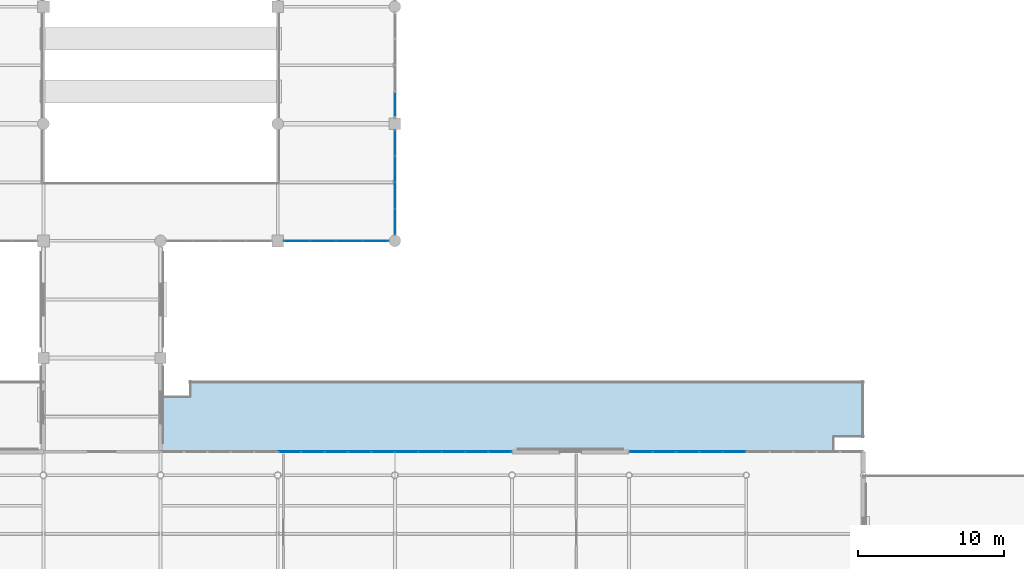
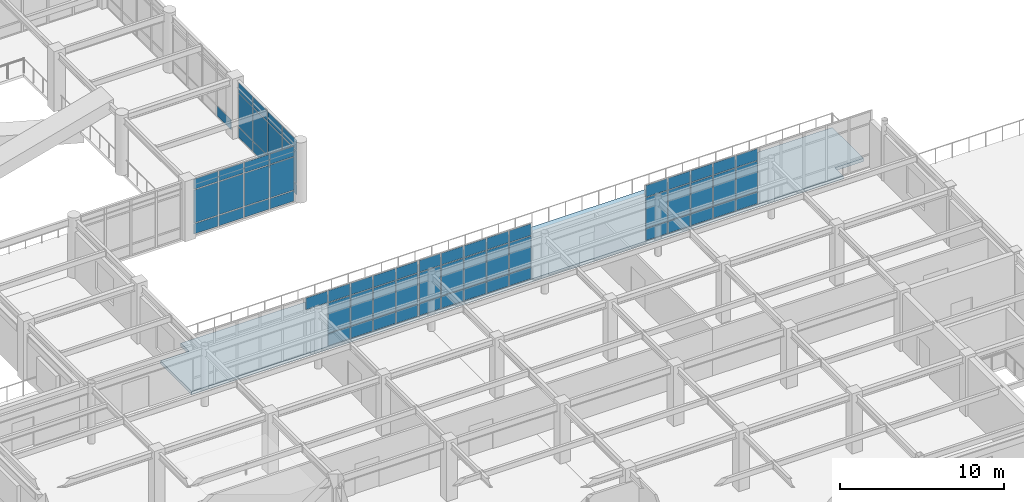
# One storey, part 52 of 93: 68 plates, 1 slab, 6 elements without a shape of their own.
"""IFC4 building model written with IfcOpenShell, lengths in metres."""

import ifcopenshell
import ifcopenshell.guid

model = None  # the IFC model being written
_history = None  # IfcOwnerHistory: only IFC2X3 demands one
_inside = {}  # id of a spatial element -> (the spatial element, [elements in it])
_under = {}  # id of a project, library or spatial element -> (it, [spatial elements below it])
_declared = {}  # id of a project -> (the project, [libraries it declares])
_typed = {}  # id of a type object -> (the type object, [elements of that type])
_made_of = {}  # id of a material, layer set ... -> (it, [elements and type objects made of it])


def new_model(schema):
    """Start an empty IFC model of exactly this schema.

    Asked for "IFC4X3", IfcOpenShell would pick the latest addendum, in which some entities
    have other attributes; the version numbers below select the first issue.
    IFC2X3 requires an IfcOwnerHistory on every rooted entity: one is made here for all.
    """
    global model, _history
    if schema == "IFC4X3":
        model = ifcopenshell.file(schema_version=(4, 3, 0, 0))
    else:
        model = ifcopenshell.file(schema=schema)
    _inside.clear()
    _under.clear()
    _declared.clear()
    _typed.clear()
    _made_of.clear()
    _history = None
    if model.schema == "IFC2X3":
        org = make("IfcOrganization", Name="unknown")
        user = make(
            "IfcPersonAndOrganization",
            ThePerson=make("IfcPerson", FamilyName="unknown"),
            TheOrganization=org,
        )
        app = make(
            "IfcApplication",
            ApplicationDeveloper=org,
            Version="unknown",
            ApplicationFullName="unknown",
            ApplicationIdentifier="unknown",
        )
        _history = make(
            "IfcOwnerHistory",
            OwningUser=user,
            OwningApplication=app,
            ChangeAction="ADDED",
            CreationDate=0,
        )
    return model


def make(cls, **values):
    """One entity of the class cls with the attributes given. An attribute that is None is left unset."""
    return model.create_entity(
        cls, **{name: value for name, value in values.items() if value is not None}
    )


def rooted(cls, **values):
    """An entity with a GlobalId (a new one), such as an element, a storey or a relation."""
    return make(cls, GlobalId=ifcopenshell.guid.new(), OwnerHistory=_history, **values)


def si_unit(unit_type, name, prefix=None):
    """IfcSIUnit, for example si_unit("LENGTHUNIT", "METRE", prefix="MILLI")."""
    return make("IfcSIUnit", UnitType=unit_type, Prefix=prefix, Name=name)


def assignment(units):
    """IfcUnitAssignment: the units of a project."""
    return None if units is None else make("IfcUnitAssignment", Units=units)


def point(xyz):
    """IfcCartesianPoint."""
    return None if xyz is None else make("IfcCartesianPoint", Coordinates=xyz)


def direction(xyz):
    """IfcDirection."""
    return None if xyz is None else make("IfcDirection", DirectionRatios=xyz)


def frame(location, z_axis=None, x_axis=None):
    """IfcAxis2Placement3D, a coordinate frame: its origin and axes. An axis left out is left unset."""
    return make(
        "IfcAxis2Placement3D",
        Location=point(location),
        Axis=direction(z_axis),
        RefDirection=direction(x_axis),
    )


def frame_2d(location, x_axis=None):
    """IfcAxis2Placement2D, a coordinate frame in the plane: its origin and x axis."""
    return make(
        "IfcAxis2Placement2D", Location=point(location), RefDirection=direction(x_axis)
    )


def origin():
    """The frame at (0, 0, 0) with its axes left unset."""
    return frame((0.0, 0.0, 0.0))


def origin_2d():
    """The frame at (0, 0) in the plane with its x axis left unset."""
    return frame_2d((0.0, 0.0))


def place(relative_to, where):
    """IfcLocalPlacement: puts the frame where relative to a parent placement (None: the world)."""
    return make(
        "IfcLocalPlacement", PlacementRelTo=relative_to, RelativePlacement=where
    )


def context(
    kind, dimensions, precision=None, world=None, true_north=None, identifier=None
):
    """IfcGeometricRepresentationContext, for example the 3D "Model" context."""
    return make(
        "IfcGeometricRepresentationContext",
        ContextIdentifier=identifier,
        ContextType=kind,
        CoordinateSpaceDimension=dimensions,
        Precision=precision,
        WorldCoordinateSystem=world,
        TrueNorth=true_north,
    )


def subcontext(parent, identifier, kind, view, scale=None):
    """IfcGeometricRepresentationSubContext, for example "Body" below "Model"."""
    return make(
        "IfcGeometricRepresentationSubContext",
        ContextIdentifier=identifier,
        ContextType=kind,
        ParentContext=parent,
        TargetScale=scale,
        TargetView=view,
    )


def project(units=None, contexts=None):
    """IfcProject with its units and contexts."""
    return rooted(
        "IfcProject",
        Name="project",
        RepresentationContexts=contexts,
        UnitsInContext=assignment(units),
    )


def spatial(cls, under=None, at=None, **own):
    """A site, building, storey or space (cls), placed at a placement, below another one or the project."""
    s = rooted(cls, ObjectPlacement=at, **own)
    if under is not None:
        _under.setdefault(under.id(), (under, []))[1].append(s)
    return s


def polyline(points):
    """IfcPolyline through the points."""
    return make("IfcPolyline", Points=[point(p) for p in points])


def profile(cls, at=None, kind="AREA", **sizes):
    """A parametric profile (cls). Its sizes go by their IFC names, for example OverallWidth=200.0."""
    return make(cls, ProfileType=kind, Position=at, **sizes)


def rectangle(**sizes):
    """IfcRectangleProfileDef."""
    return profile("IfcRectangleProfileDef", **sizes)


def outline(outer, holes=None, kind="AREA"):
    """IfcArbitraryClosedProfileDef: a profile drawn as a closed curve; with holes, ...WithVoids."""
    if holes is None:
        return make("IfcArbitraryClosedProfileDef", ProfileType=kind, OuterCurve=outer)
    return make(
        "IfcArbitraryProfileDefWithVoids",
        ProfileType=kind,
        OuterCurve=outer,
        InnerCurves=holes,
    )


def extrude(swept, where, along, depth):
    """IfcExtrudedAreaSolid: the profile swept, set in the frame where, extruded along a direction by depth."""
    return make(
        "IfcExtrudedAreaSolid",
        SweptArea=swept,
        Position=where,
        ExtrudedDirection=direction(along),
        Depth=depth,
    )


def shape(context_of_items, identifier, shape_type, items):
    """IfcShapeRepresentation: the items that make up one representation, for example the "Body"."""
    return make(
        "IfcShapeRepresentation",
        ContextOfItems=context_of_items,
        RepresentationIdentifier=identifier,
        RepresentationType=shape_type,
        Items=items,
    )


def material(Name=None, Category=None):
    """IfcMaterial."""
    return make("IfcMaterial", Name=Name, Category=Category)


def layer(
    of_material, thickness, ventilated=None, Name=None, Category=None, Priority=None
):
    """IfcMaterialLayer: one layer of a wall or slab, of a material (None: an air gap)."""
    return make(
        "IfcMaterialLayer",
        Material=of_material,
        LayerThickness=thickness,
        IsVentilated=ventilated,
        Name=Name,
        Category=Category,
        Priority=Priority,
    )


def layer_set(layers, Name=None):
    """IfcMaterialLayerSet."""
    return make("IfcMaterialLayerSet", MaterialLayers=layers, LayerSetName=Name)


def made_of(thing, what):
    """Note that an element or type object is made of a material, layer set ...; save() writes the relation."""
    if what is not None:
        _made_of.setdefault(what.id(), (what, []))[1].append(thing)
    return thing


def type_object(cls, material=None, **own):
    """A type object (cls), such as IfcWallType, which elements share."""
    return made_of(rooted(cls, **own), material)


def element(
    cls,
    number,
    at=None,
    inside=None,
    cuts=None,
    type_object=None,
    material=None,
    context=None,
    identifier="Body",
    shape_type=None,
    held_by="IfcProductDefinitionShape",
    body=None,
    shapes=None,
    **own,
):
    """One element of the class cls, such as IfcWall. Its Tag is "e" and its number.

    at: its placement. inside: the storey or other place that contains it. cuts: it is an
    opening in that element (IfcRelVoidsElement). A single representation is given by context,
    identifier, shape_type and body (its items); several are given by shapes. held_by: the class
    of the entity that holds the representations. save() writes the other relations.
    """
    e = rooted(cls, Tag="e%d" % number, ObjectPlacement=at, **own)
    if body is not None:
        shapes = [shape(context, identifier, shape_type, body)]
    if shapes is not None:
        e.Representation = make(held_by, Representations=shapes)
    if inside is not None:
        _inside.setdefault(inside.id(), (inside, []))[1].append(e)
    if cuts is not None:
        rooted(
            "IfcRelVoidsElement", RelatingBuildingElement=cuts, RelatedOpeningElement=e
        )
    if type_object is not None:
        _typed.setdefault(type_object.id(), (type_object, []))[1].append(e)
    return made_of(e, material)


def aggregate(whole, parts):
    """IfcRelAggregates: a whole, such as a stair, and the parts it consists of."""
    return rooted("IfcRelAggregates", RelatingObject=whole, RelatedObjects=parts)


def save(model, path):
    """Write the relations noted so far, then the file.

    IfcRelAggregates (storeys below a building ...), IfcRelContainedInSpatialStructure (elements
    in a storey), IfcRelDefinesByType, IfcRelAssociatesMaterial and IfcRelDeclares: one each for
    every whole, place, type object, material and project.
    """
    for whole, parts in _under.values():
        aggregate(whole, parts)
    for where, things in _inside.values():
        rooted(
            "IfcRelContainedInSpatialStructure",
            RelatedElements=things,
            RelatingStructure=where,
        )
    for kind, things in _typed.values():
        rooted("IfcRelDefinesByType", RelatedObjects=things, RelatingType=kind)
    for what, things in _made_of.values():
        rooted("IfcRelAssociatesMaterial", RelatedObjects=things, RelatingMaterial=what)
    for by, libraries in _declared.values():
        rooted("IfcRelDeclares", RelatingContext=by, RelatedDefinitions=libraries)
    model.write(path)


model = new_model("IFC4")

# Units and contexts
model_context = context("Model", 3, precision=1e-05, world=origin(), true_north=direction((0.0, 1.0)))
body_context = subcontext(model_context, "Body", "Model", "MODEL_VIEW")
ifc_project = project(units=[si_unit("LENGTHUNIT", "METRE"), si_unit("AREAUNIT", "SQUARE_METRE"), si_unit("VOLUMEUNIT", "CUBIC_METRE"), si_unit("PLANEANGLEUNIT", "RADIAN"), si_unit("MASSUNIT", "GRAM", prefix="KILO")], contexts=[model_context])

# Site, building, storey
site_placement = place(None, origin())
site = spatial("IfcSite", under=ifc_project, at=site_placement, CompositionType="ELEMENT")
building_placement = place(site_placement, origin())
building = spatial("IfcBuilding", under=site, at=building_placement, Name="Solmirada Galleria", CompositionType="ELEMENT")
storey_placement = place(building_placement, frame((0.0, 0.0, 14.89990234375)))
storey = spatial("IfcBuildingStorey", under=building, at=storey_placement, Name="L03", CompositionType="ELEMENT", Elevation=14.89990234375)

# Curtain wall, plate
ifc_material_1 = material(Name="Impact-resistant low-E double glazing", Category="glass")
curtain_wall_type_1 = type_object("IfcCurtainWallType", Name="CW-FZ3-L03-B4-L072", PredefinedType="NOTDEFINED", material=ifc_material_1)
curtain_wall_1_placement = place(storey_placement, origin())
curtain_wall_1 = element("IfcCurtainWall", 1, at=curtain_wall_1_placement, inside=storey, type_object=curtain_wall_type_1, Name="Terrace and arcade storefront CW-L03-132", PredefinedType="NOTDEFINED")
ifc_layer_1 = layer(ifc_material_1, 0.028076171875)
ifc_layer_set_1 = layer_set([ifc_layer_1], Name="Impact-resistant low-E double glazing")
plate_type_1 = type_object("IfcPlateType", Name="CW-PNL-CW27-T28", PredefinedType="CURTAIN_PANEL", material=ifc_layer_set_1)
plate_1_placement = place(storey_placement, frame((112.0, 57.31640625, 0.06005859375), z_axis=(0.0, 0.0, 1.0), x_axis=(0.0, -1.0, 0.0)))
plate_1 = element("IfcPlate", 2, at=plate_1_placement, type_object=plate_type_1, Name="CW27 panel 4.1", PredefinedType="CURTAIN_PANEL", context=body_context, shape_type="SweptSolid", body=[
    extrude(rectangle(XDim=1.708984375, YDim=0.028076171875, at=origin_2d()), origin(), (0.0, 0.0, 1.0), 0.77001953125),
])
aggregate(curtain_wall_1, [plate_1])

# Curtain wall, plates
curtain_wall_2_placement = place(storey_placement, origin())
curtain_wall_2 = element("IfcCurtainWall", 3, at=curtain_wall_2_placement, inside=storey, type_object=curtain_wall_type_1, Name="Terrace and arcade storefront CW-L03-133", PredefinedType="NOTDEFINED")
plate_2_placement = place(storey_placement, frame((112.0, 54.68359375, 0.06005859375), z_axis=(0.0, 0.0, 1.0), x_axis=(0.0, -1.0, 0.0)))
plate_2 = element("IfcPlate", 4, at=plate_2_placement, type_object=plate_type_1, Name="CW27 panel 1.1", PredefinedType="CURTAIN_PANEL", context=body_context, shape_type="SweptSolid", body=[
    extrude(rectangle(XDim=1.708984375, YDim=0.028076171875, at=origin_2d()), origin(), (0.0, 0.0, 1.0), 0.77001953125),
])
plate_3_placement = place(storey_placement, frame((112.0, 54.68359375, 0.89013671875), z_axis=(0.0, 0.0, 1.0), x_axis=(0.0, -1.0, 0.0)))
plate_3 = element("IfcPlate", 5, at=plate_3_placement, type_object=plate_type_1, Name="CW27 panel 1.2", PredefinedType="CURTAIN_PANEL", context=body_context, shape_type="SweptSolid", body=[
    extrude(rectangle(XDim=1.708984375, YDim=0.028076171875, at=origin_2d()), origin(), (0.0, 0.0, 1.0), 2.449951171875),
])
plate_4_placement = place(storey_placement, frame((112.0, 54.68359375, 3.39990234375), z_axis=(0.0, 0.0, 1.0), x_axis=(0.0, -1.0, 0.0)))
plate_4 = element("IfcPlate", 6, at=plate_4_placement, type_object=plate_type_1, Name="CW27 panel 1.3", PredefinedType="CURTAIN_PANEL", context=body_context, shape_type="SweptSolid", body=[
    extrude(rectangle(XDim=1.708984375, YDim=0.028076171875, at=origin_2d()), origin(), (0.0, 0.0, 1.0), 0.760009765625),
])
plate_5_placement = place(storey_placement, frame((112.0, 52.8994140625, 0.06005859375), z_axis=(0.0, 0.0, 1.0), x_axis=(0.0, -1.0, 0.0)))
plate_5 = element("IfcPlate", 7, at=plate_5_placement, type_object=plate_type_1, Name="CW27 panel 2.1", PredefinedType="CURTAIN_PANEL", context=body_context, shape_type="SweptSolid", body=[
    extrude(rectangle(XDim=1.739013671875, YDim=0.028076171875, at=origin_2d()), origin(), (0.0, 0.0, 1.0), 0.77001953125),
])
plate_6_placement = place(storey_placement, frame((112.0, 52.8994140625, 0.89013671875), z_axis=(0.0, 0.0, 1.0), x_axis=(0.0, -1.0, 0.0)))
plate_6 = element("IfcPlate", 8, at=plate_6_placement, type_object=plate_type_1, Name="CW27 panel 2.2", PredefinedType="CURTAIN_PANEL", context=body_context, shape_type="SweptSolid", body=[
    extrude(rectangle(XDim=1.739013671875, YDim=0.028076171875, at=origin_2d()), origin(), (0.0, 0.0, 1.0), 2.449951171875),
])
plate_7_placement = place(storey_placement, frame((112.0, 52.8994140625, 3.39990234375), z_axis=(0.0, 0.0, 1.0), x_axis=(0.0, -1.0, 0.0)))
plate_7 = element("IfcPlate", 9, at=plate_7_placement, type_object=plate_type_1, Name="CW27 panel 2.3", PredefinedType="CURTAIN_PANEL", context=body_context, shape_type="SweptSolid", body=[
    extrude(rectangle(XDim=1.739013671875, YDim=0.028076171875, at=origin_2d()), origin(), (0.0, 0.0, 1.0), 0.760009765625),
])
plate_8_placement = place(storey_placement, frame((112.0, 51.1005859375, 0.06005859375), z_axis=(0.0, 0.0, 1.0), x_axis=(0.0, -1.0, 0.0)))
plate_8 = element("IfcPlate", 10, at=plate_8_placement, type_object=plate_type_1, Name="CW27 panel 3.1", PredefinedType="CURTAIN_PANEL", context=body_context, shape_type="SweptSolid", body=[
    extrude(rectangle(XDim=1.739013671875, YDim=0.028076171875, at=origin_2d()), origin(), (0.0, 0.0, 1.0), 0.77001953125),
])
plate_9_placement = place(storey_placement, frame((112.0, 51.1005859375, 0.89013671875), z_axis=(0.0, 0.0, 1.0), x_axis=(0.0, -1.0, 0.0)))
plate_9 = element("IfcPlate", 11, at=plate_9_placement, type_object=plate_type_1, Name="CW27 panel 3.2", PredefinedType="CURTAIN_PANEL", context=body_context, shape_type="SweptSolid", body=[
    extrude(rectangle(XDim=1.739013671875, YDim=0.028076171875, at=origin_2d()), origin(), (0.0, 0.0, 1.0), 2.449951171875),
])
plate_10_placement = place(storey_placement, frame((112.0, 51.1005859375, 3.39990234375), z_axis=(0.0, 0.0, 1.0), x_axis=(0.0, -1.0, 0.0)))
plate_10 = element("IfcPlate", 12, at=plate_10_placement, type_object=plate_type_1, Name="CW27 panel 3.3", PredefinedType="CURTAIN_PANEL", context=body_context, shape_type="SweptSolid", body=[
    extrude(rectangle(XDim=1.739013671875, YDim=0.028076171875, at=origin_2d()), origin(), (0.0, 0.0, 1.0), 0.760009765625),
])
plate_11_placement = place(storey_placement, frame((112.0, 49.31640625, 0.06005859375), z_axis=(0.0, 0.0, 1.0), x_axis=(0.0, -1.0, 0.0)))
plate_11 = element("IfcPlate", 13, at=plate_11_placement, type_object=plate_type_1, Name="CW27 panel 4.1", PredefinedType="CURTAIN_PANEL", context=body_context, shape_type="SweptSolid", body=[
    extrude(rectangle(XDim=1.708984375, YDim=0.028076171875, at=origin_2d()), origin(), (0.0, 0.0, 1.0), 0.77001953125),
])
plate_12_placement = place(storey_placement, frame((112.0, 49.31640625, 0.89013671875), z_axis=(0.0, 0.0, 1.0), x_axis=(0.0, -1.0, 0.0)))
plate_12 = element("IfcPlate", 14, at=plate_12_placement, type_object=plate_type_1, Name="CW27 panel 4.2", PredefinedType="CURTAIN_PANEL", context=body_context, shape_type="SweptSolid", body=[
    extrude(rectangle(XDim=1.708984375, YDim=0.028076171875, at=origin_2d()), origin(), (0.0, 0.0, 1.0), 2.449951171875),
])
plate_13_placement = place(storey_placement, frame((112.0, 49.31640625, 3.39990234375), z_axis=(0.0, 0.0, 1.0), x_axis=(0.0, -1.0, 0.0)))
plate_13 = element("IfcPlate", 15, at=plate_13_placement, type_object=plate_type_1, Name="CW27 panel 4.3", PredefinedType="CURTAIN_PANEL", context=body_context, shape_type="SweptSolid", body=[
    extrude(rectangle(XDim=1.708984375, YDim=0.028076171875, at=origin_2d()), origin(), (0.0, 0.0, 1.0), 0.760009765625),
])
aggregate(curtain_wall_2, [plate_2, plate_3, plate_4, plate_5, plate_6, plate_7, plate_8, plate_9, plate_10, plate_11, plate_12, plate_13])

curtain_wall_3_placement = place(storey_placement, origin())
curtain_wall_3 = element("IfcCurtainWall", 16, at=curtain_wall_3_placement, inside=storey, type_object=curtain_wall_type_1, Name="Terrace and arcade storefront CW-L03-134", PredefinedType="NOTDEFINED")
plate_14_placement = place(storey_placement, frame((110.68359375, 48.0, 0.06005859375), z_axis=(0.0, 0.0, 1.0), x_axis=(-1.0, 0.0, 0.0)))
plate_14 = element("IfcPlate", 17, at=plate_14_placement, type_object=plate_type_1, Name="CW27 panel 1.1", PredefinedType="CURTAIN_PANEL", context=body_context, shape_type="SweptSolid", body=[
    extrude(rectangle(XDim=1.708984375, YDim=0.028076171875, at=origin_2d()), origin(), (0.0, 0.0, 1.0), 0.77001953125),
])
plate_15_placement = place(storey_placement, frame((110.68359375, 48.0, 0.89013671875), z_axis=(0.0, 0.0, 1.0), x_axis=(-1.0, 0.0, 0.0)))
plate_15 = element("IfcPlate", 18, at=plate_15_placement, type_object=plate_type_1, Name="CW27 panel 1.2", PredefinedType="CURTAIN_PANEL", context=body_context, shape_type="SweptSolid", body=[
    extrude(rectangle(XDim=1.708984375, YDim=0.028076171875, at=origin_2d()), origin(), (0.0, 0.0, 1.0), 2.449951171875),
])
plate_16_placement = place(storey_placement, frame((110.68359375, 48.0, 3.39990234375), z_axis=(0.0, 0.0, 1.0), x_axis=(-1.0, 0.0, 0.0)))
plate_16 = element("IfcPlate", 19, at=plate_16_placement, type_object=plate_type_1, Name="CW27 panel 1.3", PredefinedType="CURTAIN_PANEL", context=body_context, shape_type="SweptSolid", body=[
    extrude(rectangle(XDim=1.708984375, YDim=0.028076171875, at=origin_2d()), origin(), (0.0, 0.0, 1.0), 0.760009765625),
])
plate_17_placement = place(storey_placement, frame((108.8994140625, 48.0, 0.06005859375), z_axis=(0.0, 0.0, 1.0), x_axis=(-1.0, 0.0, 0.0)))
plate_17 = element("IfcPlate", 20, at=plate_17_placement, type_object=plate_type_1, Name="CW27 panel 2.1", PredefinedType="CURTAIN_PANEL", context=body_context, shape_type="SweptSolid", body=[
    extrude(rectangle(XDim=1.739013671875, YDim=0.028076171875, at=origin_2d()), origin(), (0.0, 0.0, 1.0), 0.77001953125),
])
plate_18_placement = place(storey_placement, frame((108.8994140625, 48.0, 0.89013671875), z_axis=(0.0, 0.0, 1.0), x_axis=(-1.0, 0.0, 0.0)))
plate_18 = element("IfcPlate", 21, at=plate_18_placement, type_object=plate_type_1, Name="CW27 panel 2.2", PredefinedType="CURTAIN_PANEL", context=body_context, shape_type="SweptSolid", body=[
    extrude(rectangle(XDim=1.739013671875, YDim=0.028076171875, at=origin_2d()), origin(), (0.0, 0.0, 1.0), 2.449951171875),
])
plate_19_placement = place(storey_placement, frame((108.8994140625, 48.0, 3.39990234375), z_axis=(0.0, 0.0, 1.0), x_axis=(-1.0, 0.0, 0.0)))
plate_19 = element("IfcPlate", 22, at=plate_19_placement, type_object=plate_type_1, Name="CW27 panel 2.3", PredefinedType="CURTAIN_PANEL", context=body_context, shape_type="SweptSolid", body=[
    extrude(rectangle(XDim=1.739013671875, YDim=0.028076171875, at=origin_2d()), origin(), (0.0, 0.0, 1.0), 0.760009765625),
])
plate_20_placement = place(storey_placement, frame((107.1005859375, 48.0, 0.06005859375), z_axis=(0.0, 0.0, 1.0), x_axis=(-1.0, 0.0, 0.0)))
plate_20 = element("IfcPlate", 23, at=plate_20_placement, type_object=plate_type_1, Name="CW27 panel 3.1", PredefinedType="CURTAIN_PANEL", context=body_context, shape_type="SweptSolid", body=[
    extrude(rectangle(XDim=1.739013671875, YDim=0.028076171875, at=origin_2d()), origin(), (0.0, 0.0, 1.0), 0.77001953125),
])
plate_21_placement = place(storey_placement, frame((107.1005859375, 48.0, 0.89013671875), z_axis=(0.0, 0.0, 1.0), x_axis=(-1.0, 0.0, 0.0)))
plate_21 = element("IfcPlate", 24, at=plate_21_placement, type_object=plate_type_1, Name="CW27 panel 3.2", PredefinedType="CURTAIN_PANEL", context=body_context, shape_type="SweptSolid", body=[
    extrude(rectangle(XDim=1.739013671875, YDim=0.028076171875, at=origin_2d()), origin(), (0.0, 0.0, 1.0), 2.449951171875),
])
plate_22_placement = place(storey_placement, frame((107.1005859375, 48.0, 3.39990234375), z_axis=(0.0, 0.0, 1.0), x_axis=(-1.0, 0.0, 0.0)))
plate_22 = element("IfcPlate", 25, at=plate_22_placement, type_object=plate_type_1, Name="CW27 panel 3.3", PredefinedType="CURTAIN_PANEL", context=body_context, shape_type="SweptSolid", body=[
    extrude(rectangle(XDim=1.739013671875, YDim=0.028076171875, at=origin_2d()), origin(), (0.0, 0.0, 1.0), 0.760009765625),
])
plate_23_placement = place(storey_placement, frame((105.31640625, 48.0, 0.06005859375), z_axis=(0.0, 0.0, 1.0), x_axis=(-1.0, 0.0, 0.0)))
plate_23 = element("IfcPlate", 26, at=plate_23_placement, type_object=plate_type_1, Name="CW27 panel 4.1", PredefinedType="CURTAIN_PANEL", context=body_context, shape_type="SweptSolid", body=[
    extrude(rectangle(XDim=1.708984375, YDim=0.028076171875, at=origin_2d()), origin(), (0.0, 0.0, 1.0), 0.77001953125),
])
plate_24_placement = place(storey_placement, frame((105.31640625, 48.0, 0.89013671875), z_axis=(0.0, 0.0, 1.0), x_axis=(-1.0, 0.0, 0.0)))
plate_24 = element("IfcPlate", 27, at=plate_24_placement, type_object=plate_type_1, Name="CW27 panel 4.2", PredefinedType="CURTAIN_PANEL", context=body_context, shape_type="SweptSolid", body=[
    extrude(rectangle(XDim=1.708984375, YDim=0.028076171875, at=origin_2d()), origin(), (0.0, 0.0, 1.0), 2.449951171875),
])
plate_25_placement = place(storey_placement, frame((105.31640625, 48.0, 3.39990234375), z_axis=(0.0, 0.0, 1.0), x_axis=(-1.0, 0.0, 0.0)))
plate_25 = element("IfcPlate", 28, at=plate_25_placement, type_object=plate_type_1, Name="CW27 panel 4.3", PredefinedType="CURTAIN_PANEL", context=body_context, shape_type="SweptSolid", body=[
    extrude(rectangle(XDim=1.708984375, YDim=0.028076171875, at=origin_2d()), origin(), (0.0, 0.0, 1.0), 0.760009765625),
])
aggregate(curtain_wall_3, [plate_14, plate_15, plate_16, plate_17, plate_18, plate_19, plate_20, plate_21, plate_22, plate_23, plate_24, plate_25])

curtain_wall_type_2 = type_object("IfcCurtainWallType", Name="CW-FZ5-L03-B5-L080", PredefinedType="NOTDEFINED", material=ifc_material_1)
curtain_wall_4_placement = place(storey_placement, origin())
curtain_wall_4 = element("IfcCurtainWall", 29, at=curtain_wall_4_placement, inside=storey, type_object=curtain_wall_type_2, Name="Terrace and arcade storefront CW-L03-137", PredefinedType="NOTDEFINED")
ifc_material_2 = material(Name="Ceramic-fritted spandrel glass", Category="glass")
ifc_layer_2 = layer(ifc_material_2, 0.0419921875)
ifc_layer_set_2 = layer_set([ifc_layer_2], Name="Ceramic-fritted spandrel glass")
plate_type_2 = type_object("IfcPlateType", Name="CW-PNL-CW29-T42", PredefinedType="CURTAIN_PANEL", material=ifc_layer_set_2)
plate_26_placement = place(storey_placement, frame((104.81494140625, 33.60009765625, 3.2998046875), z_axis=(0.0, 0.0, 1.0), x_axis=(1.0, 0.0, 0.0)))
plate_26 = element("IfcPlate", 30, at=plate_26_placement, type_object=plate_type_2, Name="CW29 panel 1.3", PredefinedType="CURTAIN_PANEL", context=body_context, shape_type="SweptSolid", body=[
    extrude(rectangle(XDim=1.510009765625, YDim=0.0419921875, at=origin_2d()), origin(), (0.0, 0.0, 1.0), 0.860107421875),
])
plate_27_placement = place(storey_placement, frame((106.39990234375, 33.60009765625, 0.06005859375), z_axis=(0.0, 0.0, 1.0), x_axis=(1.0, 0.0, 0.0)))
plate_27 = element("IfcPlate", 31, at=plate_27_placement, type_object=plate_type_2, Name="CW29 panel 2.1", PredefinedType="CURTAIN_PANEL", context=body_context, shape_type="SweptSolid", body=[
    extrude(rectangle(XDim=1.5400390625, YDim=0.0419921875, at=origin_2d()), origin(), (0.0, 0.0, 1.0), 0.889892578125),
])
plate_28_placement = place(storey_placement, frame((106.39990234375, 33.60009765625, 1.010009765625), z_axis=(0.0, 0.0, 1.0), x_axis=(1.0, 0.0, 0.0)))
plate_28 = element("IfcPlate", 32, at=plate_28_placement, type_object=plate_type_2, Name="CW29 panel 2.2", PredefinedType="CURTAIN_PANEL", context=body_context, shape_type="SweptSolid", body=[
    extrude(rectangle(XDim=1.5400390625, YDim=0.0419921875, at=origin_2d()), origin(), (0.0, 0.0, 1.0), 2.22998046875),
])
plate_29_placement = place(storey_placement, frame((106.39990234375, 33.60009765625, 3.2998046875), z_axis=(0.0, 0.0, 1.0), x_axis=(1.0, 0.0, 0.0)))
plate_29 = element("IfcPlate", 33, at=plate_29_placement, type_object=plate_type_2, Name="CW29 panel 2.3", PredefinedType="CURTAIN_PANEL", context=body_context, shape_type="SweptSolid", body=[
    extrude(rectangle(XDim=1.5400390625, YDim=0.0419921875, at=origin_2d()), origin(), (0.0, 0.0, 1.0), 0.860107421875),
])
plate_30_placement = place(storey_placement, frame((108.0, 33.60009765625, 0.06005859375), z_axis=(0.0, 0.0, 1.0), x_axis=(1.0, 0.0, 0.0)))
plate_30 = element("IfcPlate", 34, at=plate_30_placement, type_object=plate_type_2, Name="CW29 panel 3.1", PredefinedType="CURTAIN_PANEL", context=body_context, shape_type="SweptSolid", body=[
    extrude(rectangle(XDim=1.5400390625, YDim=0.0419921875, at=origin_2d()), origin(), (0.0, 0.0, 1.0), 0.889892578125),
])
plate_31_placement = place(storey_placement, frame((108.0, 33.60009765625, 1.010009765625), z_axis=(0.0, 0.0, 1.0), x_axis=(1.0, 0.0, 0.0)))
plate_31 = element("IfcPlate", 35, at=plate_31_placement, type_object=plate_type_2, Name="CW29 panel 3.2", PredefinedType="CURTAIN_PANEL", context=body_context, shape_type="SweptSolid", body=[
    extrude(rectangle(XDim=1.5400390625, YDim=0.0419921875, at=origin_2d()), origin(), (0.0, 0.0, 1.0), 2.22998046875),
])
plate_32_placement = place(storey_placement, frame((108.0, 33.60009765625, 3.2998046875), z_axis=(0.0, 0.0, 1.0), x_axis=(1.0, 0.0, 0.0)))
plate_32 = element("IfcPlate", 36, at=plate_32_placement, type_object=plate_type_2, Name="CW29 panel 3.3", PredefinedType="CURTAIN_PANEL", context=body_context, shape_type="SweptSolid", body=[
    extrude(rectangle(XDim=1.5400390625, YDim=0.0419921875, at=origin_2d()), origin(), (0.0, 0.0, 1.0), 0.860107421875),
])
plate_33_placement = place(storey_placement, frame((109.60009765625, 33.60009765625, 0.06005859375), z_axis=(0.0, 0.0, 1.0), x_axis=(1.0, 0.0, 0.0)))
plate_33 = element("IfcPlate", 37, at=plate_33_placement, type_object=plate_type_2, Name="CW29 panel 4.1", PredefinedType="CURTAIN_PANEL", context=body_context, shape_type="SweptSolid", body=[
    extrude(rectangle(XDim=1.5400390625, YDim=0.0419921875, at=origin_2d()), origin(), (0.0, 0.0, 1.0), 0.889892578125),
])
plate_34_placement = place(storey_placement, frame((109.60009765625, 33.60009765625, 1.010009765625), z_axis=(0.0, 0.0, 1.0), x_axis=(1.0, 0.0, 0.0)))
plate_34 = element("IfcPlate", 38, at=plate_34_placement, type_object=plate_type_2, Name="CW29 panel 4.2", PredefinedType="CURTAIN_PANEL", context=body_context, shape_type="SweptSolid", body=[
    extrude(rectangle(XDim=1.5400390625, YDim=0.0419921875, at=origin_2d()), origin(), (0.0, 0.0, 1.0), 2.22998046875),
])
plate_35_placement = place(storey_placement, frame((109.60009765625, 33.60009765625, 3.2998046875), z_axis=(0.0, 0.0, 1.0), x_axis=(1.0, 0.0, 0.0)))
plate_35 = element("IfcPlate", 39, at=plate_35_placement, type_object=plate_type_2, Name="CW29 panel 4.3", PredefinedType="CURTAIN_PANEL", context=body_context, shape_type="SweptSolid", body=[
    extrude(rectangle(XDim=1.5400390625, YDim=0.0419921875, at=origin_2d()), origin(), (0.0, 0.0, 1.0), 0.860107421875),
])
plate_36_placement = place(storey_placement, frame((111.18505859375, 33.60009765625, 0.06005859375), z_axis=(0.0, 0.0, 1.0), x_axis=(1.0, 0.0, 0.0)))
plate_36 = element("IfcPlate", 40, at=plate_36_placement, type_object=plate_type_2, Name="CW29 panel 5.1", PredefinedType="CURTAIN_PANEL", context=body_context, shape_type="SweptSolid", body=[
    extrude(rectangle(XDim=1.510009765625, YDim=0.0419921875, at=origin_2d()), origin(), (0.0, 0.0, 1.0), 0.889892578125),
])
plate_37_placement = place(storey_placement, frame((111.18505859375, 33.60009765625, 1.010009765625), z_axis=(0.0, 0.0, 1.0), x_axis=(1.0, 0.0, 0.0)))
plate_37 = element("IfcPlate", 41, at=plate_37_placement, type_object=plate_type_2, Name="CW29 panel 5.2", PredefinedType="CURTAIN_PANEL", context=body_context, shape_type="SweptSolid", body=[
    extrude(rectangle(XDim=1.510009765625, YDim=0.0419921875, at=origin_2d()), origin(), (0.0, 0.0, 1.0), 2.22998046875),
])
plate_38_placement = place(storey_placement, frame((111.18505859375, 33.60009765625, 3.2998046875), z_axis=(0.0, 0.0, 1.0), x_axis=(1.0, 0.0, 0.0)))
plate_38 = element("IfcPlate", 42, at=plate_38_placement, type_object=plate_type_2, Name="CW29 panel 5.3", PredefinedType="CURTAIN_PANEL", context=body_context, shape_type="SweptSolid", body=[
    extrude(rectangle(XDim=1.510009765625, YDim=0.0419921875, at=origin_2d()), origin(), (0.0, 0.0, 1.0), 0.860107421875),
])
aggregate(curtain_wall_4, [plate_26, plate_27, plate_28, plate_29, plate_30, plate_31, plate_32, plate_33, plate_34, plate_35, plate_36, plate_37, plate_38])

curtain_wall_5_placement = place(storey_placement, origin())
curtain_wall_5 = element("IfcCurtainWall", 43, at=curtain_wall_5_placement, inside=storey, type_object=curtain_wall_type_2, Name="Terrace and arcade storefront CW-L03-138", PredefinedType="NOTDEFINED")
plate_39_placement = place(storey_placement, frame((112.81494140625, 33.60009765625, 0.06005859375), z_axis=(0.0, 0.0, 1.0), x_axis=(1.0, 0.0, 0.0)))
plate_39 = element("IfcPlate", 44, at=plate_39_placement, type_object=plate_type_2, Name="CW29 panel 1.1", PredefinedType="CURTAIN_PANEL", context=body_context, shape_type="SweptSolid", body=[
    extrude(rectangle(XDim=1.510009765625, YDim=0.0419921875, at=origin_2d()), origin(), (0.0, 0.0, 1.0), 0.889892578125),
])
plate_40_placement = place(storey_placement, frame((112.81494140625, 33.60009765625, 1.010009765625), z_axis=(0.0, 0.0, 1.0), x_axis=(1.0, 0.0, 0.0)))
plate_40 = element("IfcPlate", 45, at=plate_40_placement, type_object=plate_type_2, Name="CW29 panel 1.2", PredefinedType="CURTAIN_PANEL", context=body_context, shape_type="SweptSolid", body=[
    extrude(rectangle(XDim=1.510009765625, YDim=0.0419921875, at=origin_2d()), origin(), (0.0, 0.0, 1.0), 2.22998046875),
])
plate_41_placement = place(storey_placement, frame((112.81494140625, 33.60009765625, 3.2998046875), z_axis=(0.0, 0.0, 1.0), x_axis=(1.0, 0.0, 0.0)))
plate_41 = element("IfcPlate", 46, at=plate_41_placement, type_object=plate_type_2, Name="CW29 panel 1.3", PredefinedType="CURTAIN_PANEL", context=body_context, shape_type="SweptSolid", body=[
    extrude(rectangle(XDim=1.510009765625, YDim=0.0419921875, at=origin_2d()), origin(), (0.0, 0.0, 1.0), 0.860107421875),
])
plate_42_placement = place(storey_placement, frame((114.39990234375, 33.60009765625, 0.06005859375), z_axis=(0.0, 0.0, 1.0), x_axis=(1.0, 0.0, 0.0)))
plate_42 = element("IfcPlate", 47, at=plate_42_placement, type_object=plate_type_2, Name="CW29 panel 2.1", PredefinedType="CURTAIN_PANEL", context=body_context, shape_type="SweptSolid", body=[
    extrude(rectangle(XDim=1.5400390625, YDim=0.0419921875, at=origin_2d()), origin(), (0.0, 0.0, 1.0), 0.889892578125),
])
plate_43_placement = place(storey_placement, frame((114.39990234375, 33.60009765625, 1.010009765625), z_axis=(0.0, 0.0, 1.0), x_axis=(1.0, 0.0, 0.0)))
plate_43 = element("IfcPlate", 48, at=plate_43_placement, type_object=plate_type_2, Name="CW29 panel 2.2", PredefinedType="CURTAIN_PANEL", context=body_context, shape_type="SweptSolid", body=[
    extrude(rectangle(XDim=1.5400390625, YDim=0.0419921875, at=origin_2d()), origin(), (0.0, 0.0, 1.0), 2.22998046875),
])
plate_44_placement = place(storey_placement, frame((114.39990234375, 33.60009765625, 3.2998046875), z_axis=(0.0, 0.0, 1.0), x_axis=(1.0, 0.0, 0.0)))
plate_44 = element("IfcPlate", 49, at=plate_44_placement, type_object=plate_type_2, Name="CW29 panel 2.3", PredefinedType="CURTAIN_PANEL", context=body_context, shape_type="SweptSolid", body=[
    extrude(rectangle(XDim=1.5400390625, YDim=0.0419921875, at=origin_2d()), origin(), (0.0, 0.0, 1.0), 0.860107421875),
])
plate_45_placement = place(storey_placement, frame((116.0, 33.60009765625, 0.06005859375), z_axis=(0.0, 0.0, 1.0), x_axis=(1.0, 0.0, 0.0)))
plate_45 = element("IfcPlate", 50, at=plate_45_placement, type_object=plate_type_2, Name="CW29 panel 3.1", PredefinedType="CURTAIN_PANEL", context=body_context, shape_type="SweptSolid", body=[
    extrude(rectangle(XDim=1.5400390625, YDim=0.0419921875, at=origin_2d()), origin(), (0.0, 0.0, 1.0), 0.889892578125),
])
plate_46_placement = place(storey_placement, frame((116.0, 33.60009765625, 1.010009765625), z_axis=(0.0, 0.0, 1.0), x_axis=(1.0, 0.0, 0.0)))
plate_46 = element("IfcPlate", 51, at=plate_46_placement, type_object=plate_type_2, Name="CW29 panel 3.2", PredefinedType="CURTAIN_PANEL", context=body_context, shape_type="SweptSolid", body=[
    extrude(rectangle(XDim=1.5400390625, YDim=0.0419921875, at=origin_2d()), origin(), (0.0, 0.0, 1.0), 2.22998046875),
])
plate_47_placement = place(storey_placement, frame((116.0, 33.60009765625, 3.2998046875), z_axis=(0.0, 0.0, 1.0), x_axis=(1.0, 0.0, 0.0)))
plate_47 = element("IfcPlate", 52, at=plate_47_placement, type_object=plate_type_2, Name="CW29 panel 3.3", PredefinedType="CURTAIN_PANEL", context=body_context, shape_type="SweptSolid", body=[
    extrude(rectangle(XDim=1.5400390625, YDim=0.0419921875, at=origin_2d()), origin(), (0.0, 0.0, 1.0), 0.860107421875),
])
plate_48_placement = place(storey_placement, frame((117.60009765625, 33.60009765625, 0.06005859375), z_axis=(0.0, 0.0, 1.0), x_axis=(1.0, 0.0, 0.0)))
plate_48 = element("IfcPlate", 53, at=plate_48_placement, type_object=plate_type_2, Name="CW29 panel 4.1", PredefinedType="CURTAIN_PANEL", context=body_context, shape_type="SweptSolid", body=[
    extrude(rectangle(XDim=1.5400390625, YDim=0.0419921875, at=origin_2d()), origin(), (0.0, 0.0, 1.0), 0.889892578125),
])
plate_49_placement = place(storey_placement, frame((117.60009765625, 33.60009765625, 1.010009765625), z_axis=(0.0, 0.0, 1.0), x_axis=(1.0, 0.0, 0.0)))
plate_49 = element("IfcPlate", 54, at=plate_49_placement, type_object=plate_type_2, Name="CW29 panel 4.2", PredefinedType="CURTAIN_PANEL", context=body_context, shape_type="SweptSolid", body=[
    extrude(rectangle(XDim=1.5400390625, YDim=0.0419921875, at=origin_2d()), origin(), (0.0, 0.0, 1.0), 2.22998046875),
])
plate_50_placement = place(storey_placement, frame((117.60009765625, 33.60009765625, 3.2998046875), z_axis=(0.0, 0.0, 1.0), x_axis=(1.0, 0.0, 0.0)))
plate_50 = element("IfcPlate", 55, at=plate_50_placement, type_object=plate_type_2, Name="CW29 panel 4.3", PredefinedType="CURTAIN_PANEL", context=body_context, shape_type="SweptSolid", body=[
    extrude(rectangle(XDim=1.5400390625, YDim=0.0419921875, at=origin_2d()), origin(), (0.0, 0.0, 1.0), 0.860107421875),
])
plate_51_placement = place(storey_placement, frame((119.18505859375, 33.60009765625, 0.06005859375), z_axis=(0.0, 0.0, 1.0), x_axis=(1.0, 0.0, 0.0)))
plate_51 = element("IfcPlate", 56, at=plate_51_placement, type_object=plate_type_2, Name="CW29 panel 5.1", PredefinedType="CURTAIN_PANEL", context=body_context, shape_type="SweptSolid", body=[
    extrude(rectangle(XDim=1.510009765625, YDim=0.0419921875, at=origin_2d()), origin(), (0.0, 0.0, 1.0), 0.889892578125),
])
plate_52_placement = place(storey_placement, frame((119.18505859375, 33.60009765625, 1.010009765625), z_axis=(0.0, 0.0, 1.0), x_axis=(1.0, 0.0, 0.0)))
plate_52 = element("IfcPlate", 57, at=plate_52_placement, type_object=plate_type_2, Name="CW29 panel 5.2", PredefinedType="CURTAIN_PANEL", context=body_context, shape_type="SweptSolid", body=[
    extrude(rectangle(XDim=1.510009765625, YDim=0.0419921875, at=origin_2d()), origin(), (0.0, 0.0, 1.0), 2.22998046875),
])
plate_53_placement = place(storey_placement, frame((119.18505859375, 33.60009765625, 3.2998046875), z_axis=(0.0, 0.0, 1.0), x_axis=(1.0, 0.0, 0.0)))
plate_53 = element("IfcPlate", 58, at=plate_53_placement, type_object=plate_type_2, Name="CW29 panel 5.3", PredefinedType="CURTAIN_PANEL", context=body_context, shape_type="SweptSolid", body=[
    extrude(rectangle(XDim=1.510009765625, YDim=0.0419921875, at=origin_2d()), origin(), (0.0, 0.0, 1.0), 0.860107421875),
])
aggregate(curtain_wall_5, [plate_39, plate_40, plate_41, plate_42, plate_43, plate_44, plate_45, plate_46, plate_47, plate_48, plate_49, plate_50, plate_51, plate_52, plate_53])

curtain_wall_6_placement = place(storey_placement, origin())
curtain_wall_6 = element("IfcCurtainWall", 59, at=curtain_wall_6_placement, inside=storey, type_object=curtain_wall_type_2, Name="Terrace and arcade storefront CW-L03-139", PredefinedType="NOTDEFINED")
plate_54_placement = place(storey_placement, frame((128.81494140625, 33.60009765625, 0.06005859375), z_axis=(0.0, 0.0, 1.0), x_axis=(1.0, 0.0, 0.0)))
plate_54 = element("IfcPlate", 60, at=plate_54_placement, type_object=plate_type_2, Name="CW29 panel 1.1", PredefinedType="CURTAIN_PANEL", context=body_context, shape_type="SweptSolid", body=[
    extrude(rectangle(XDim=1.510009765625, YDim=0.0419921875, at=origin_2d()), origin(), (0.0, 0.0, 1.0), 0.889892578125),
])
plate_55_placement = place(storey_placement, frame((128.81494140625, 33.60009765625, 1.010009765625), z_axis=(0.0, 0.0, 1.0), x_axis=(1.0, 0.0, 0.0)))
plate_55 = element("IfcPlate", 61, at=plate_55_placement, type_object=plate_type_2, Name="CW29 panel 1.2", PredefinedType="CURTAIN_PANEL", context=body_context, shape_type="SweptSolid", body=[
    extrude(rectangle(XDim=1.510009765625, YDim=0.0419921875, at=origin_2d()), origin(), (0.0, 0.0, 1.0), 2.22998046875),
])
plate_56_placement = place(storey_placement, frame((128.81494140625, 33.60009765625, 3.2998046875), z_axis=(0.0, 0.0, 1.0), x_axis=(1.0, 0.0, 0.0)))
plate_56 = element("IfcPlate", 62, at=plate_56_placement, type_object=plate_type_2, Name="CW29 panel 1.3", PredefinedType="CURTAIN_PANEL", context=body_context, shape_type="SweptSolid", body=[
    extrude(rectangle(XDim=1.510009765625, YDim=0.0419921875, at=origin_2d()), origin(), (0.0, 0.0, 1.0), 0.860107421875),
])
plate_57_placement = place(storey_placement, frame((130.39990234375, 33.60009765625, 0.06005859375), z_axis=(0.0, 0.0, 1.0), x_axis=(1.0, 0.0, 0.0)))
plate_57 = element("IfcPlate", 63, at=plate_57_placement, type_object=plate_type_2, Name="CW29 panel 2.1", PredefinedType="CURTAIN_PANEL", context=body_context, shape_type="SweptSolid", body=[
    extrude(rectangle(XDim=1.5400390625, YDim=0.0419921875, at=origin_2d()), origin(), (0.0, 0.0, 1.0), 0.889892578125),
])
plate_58_placement = place(storey_placement, frame((130.39990234375, 33.60009765625, 1.010009765625), z_axis=(0.0, 0.0, 1.0), x_axis=(1.0, 0.0, 0.0)))
plate_58 = element("IfcPlate", 64, at=plate_58_placement, type_object=plate_type_2, Name="CW29 panel 2.2", PredefinedType="CURTAIN_PANEL", context=body_context, shape_type="SweptSolid", body=[
    extrude(rectangle(XDim=1.5400390625, YDim=0.0419921875, at=origin_2d()), origin(), (0.0, 0.0, 1.0), 2.22998046875),
])
plate_59_placement = place(storey_placement, frame((130.39990234375, 33.60009765625, 3.2998046875), z_axis=(0.0, 0.0, 1.0), x_axis=(1.0, 0.0, 0.0)))
plate_59 = element("IfcPlate", 65, at=plate_59_placement, type_object=plate_type_2, Name="CW29 panel 2.3", PredefinedType="CURTAIN_PANEL", context=body_context, shape_type="SweptSolid", body=[
    extrude(rectangle(XDim=1.5400390625, YDim=0.0419921875, at=origin_2d()), origin(), (0.0, 0.0, 1.0), 0.860107421875),
])
plate_60_placement = place(storey_placement, frame((132.0, 33.60009765625, 0.06005859375), z_axis=(0.0, 0.0, 1.0), x_axis=(1.0, 0.0, 0.0)))
plate_60 = element("IfcPlate", 66, at=plate_60_placement, type_object=plate_type_2, Name="CW29 panel 3.1", PredefinedType="CURTAIN_PANEL", context=body_context, shape_type="SweptSolid", body=[
    extrude(rectangle(XDim=1.5400390625, YDim=0.0419921875, at=origin_2d()), origin(), (0.0, 0.0, 1.0), 0.889892578125),
])
plate_61_placement = place(storey_placement, frame((132.0, 33.60009765625, 1.010009765625), z_axis=(0.0, 0.0, 1.0), x_axis=(1.0, 0.0, 0.0)))
plate_61 = element("IfcPlate", 67, at=plate_61_placement, type_object=plate_type_2, Name="CW29 panel 3.2", PredefinedType="CURTAIN_PANEL", context=body_context, shape_type="SweptSolid", body=[
    extrude(rectangle(XDim=1.5400390625, YDim=0.0419921875, at=origin_2d()), origin(), (0.0, 0.0, 1.0), 2.22998046875),
])
plate_62_placement = place(storey_placement, frame((132.0, 33.60009765625, 3.2998046875), z_axis=(0.0, 0.0, 1.0), x_axis=(1.0, 0.0, 0.0)))
plate_62 = element("IfcPlate", 68, at=plate_62_placement, type_object=plate_type_2, Name="CW29 panel 3.3", PredefinedType="CURTAIN_PANEL", context=body_context, shape_type="SweptSolid", body=[
    extrude(rectangle(XDim=1.5400390625, YDim=0.0419921875, at=origin_2d()), origin(), (0.0, 0.0, 1.0), 0.860107421875),
])
plate_63_placement = place(storey_placement, frame((133.60009765625, 33.60009765625, 0.06005859375), z_axis=(0.0, 0.0, 1.0), x_axis=(1.0, 0.0, 0.0)))
plate_63 = element("IfcPlate", 69, at=plate_63_placement, type_object=plate_type_2, Name="CW29 panel 4.1", PredefinedType="CURTAIN_PANEL", context=body_context, shape_type="SweptSolid", body=[
    extrude(rectangle(XDim=1.5400390625, YDim=0.0419921875, at=origin_2d()), origin(), (0.0, 0.0, 1.0), 0.889892578125),
])
plate_64_placement = place(storey_placement, frame((133.60009765625, 33.60009765625, 1.010009765625), z_axis=(0.0, 0.0, 1.0), x_axis=(1.0, 0.0, 0.0)))
plate_64 = element("IfcPlate", 70, at=plate_64_placement, type_object=plate_type_2, Name="CW29 panel 4.2", PredefinedType="CURTAIN_PANEL", context=body_context, shape_type="SweptSolid", body=[
    extrude(rectangle(XDim=1.5400390625, YDim=0.0419921875, at=origin_2d()), origin(), (0.0, 0.0, 1.0), 2.22998046875),
])
plate_65_placement = place(storey_placement, frame((133.60009765625, 33.60009765625, 3.2998046875), z_axis=(0.0, 0.0, 1.0), x_axis=(1.0, 0.0, 0.0)))
plate_65 = element("IfcPlate", 71, at=plate_65_placement, type_object=plate_type_2, Name="CW29 panel 4.3", PredefinedType="CURTAIN_PANEL", context=body_context, shape_type="SweptSolid", body=[
    extrude(rectangle(XDim=1.5400390625, YDim=0.0419921875, at=origin_2d()), origin(), (0.0, 0.0, 1.0), 0.860107421875),
])
plate_66_placement = place(storey_placement, frame((135.18505859375, 33.60009765625, 0.06005859375), z_axis=(0.0, 0.0, 1.0), x_axis=(1.0, 0.0, 0.0)))
plate_66 = element("IfcPlate", 72, at=plate_66_placement, type_object=plate_type_2, Name="CW29 panel 5.1", PredefinedType="CURTAIN_PANEL", context=body_context, shape_type="SweptSolid", body=[
    extrude(rectangle(XDim=1.510009765625, YDim=0.0419921875, at=origin_2d()), origin(), (0.0, 0.0, 1.0), 0.889892578125),
])
plate_67_placement = place(storey_placement, frame((135.18505859375, 33.60009765625, 1.010009765625), z_axis=(0.0, 0.0, 1.0), x_axis=(1.0, 0.0, 0.0)))
plate_67 = element("IfcPlate", 73, at=plate_67_placement, type_object=plate_type_2, Name="CW29 panel 5.2", PredefinedType="CURTAIN_PANEL", context=body_context, shape_type="SweptSolid", body=[
    extrude(rectangle(XDim=1.510009765625, YDim=0.0419921875, at=origin_2d()), origin(), (0.0, 0.0, 1.0), 2.22998046875),
])
plate_68_placement = place(storey_placement, frame((135.18505859375, 33.60009765625, 3.2998046875), z_axis=(0.0, 0.0, 1.0), x_axis=(1.0, 0.0, 0.0)))
plate_68 = element("IfcPlate", 74, at=plate_68_placement, type_object=plate_type_2, Name="CW29 panel 5.3", PredefinedType="CURTAIN_PANEL", context=body_context, shape_type="SweptSolid", body=[
    extrude(rectangle(XDim=1.510009765625, YDim=0.0419921875, at=origin_2d()), origin(), (0.0, 0.0, 1.0), 0.860107421875),
])
aggregate(curtain_wall_6, [plate_54, plate_55, plate_56, plate_57, plate_58, plate_59, plate_60, plate_61, plate_62, plate_63, plate_64, plate_65, plate_66, plate_67, plate_68])

# Slab
ifc_material_3 = material(Name="Concrete C35/45", Category="concrete")
ifc_layer_3 = layer(ifc_material_3, 0.239990234375)
ifc_layer_set_3 = layer_set([ifc_layer_3], Name="Concrete C35/45")
slab_type = type_object("IfcSlabType", Name="SLB-TERR-240", PredefinedType="FLOOR", material=ifc_layer_set_3)
slab_placement = place(storey_placement, frame((0.0, 0.0, -0.239990234375)))
element("IfcSlab", 75, at=slab_placement, inside=storey, type_object=slab_type, Name="Slab L03-TERR-SE", PredefinedType="FLOOR", context=body_context, shape_type="SweptSolid", body=[
    extrude(outline(polyline([(96.0, 33.60009765625), (142.0, 33.60009765625), (142.0, 34.60009765625), (144.0, 34.60009765625), (144.0, 38.39990234375), (98.0, 38.39990234375), (98.0, 37.39990234375), (96.0, 37.39990234375), (96.0, 33.60009765625)])), origin(), (0.0, 0.0, 1.0), 0.239990234375),
])

save(model, "model.ifc")
